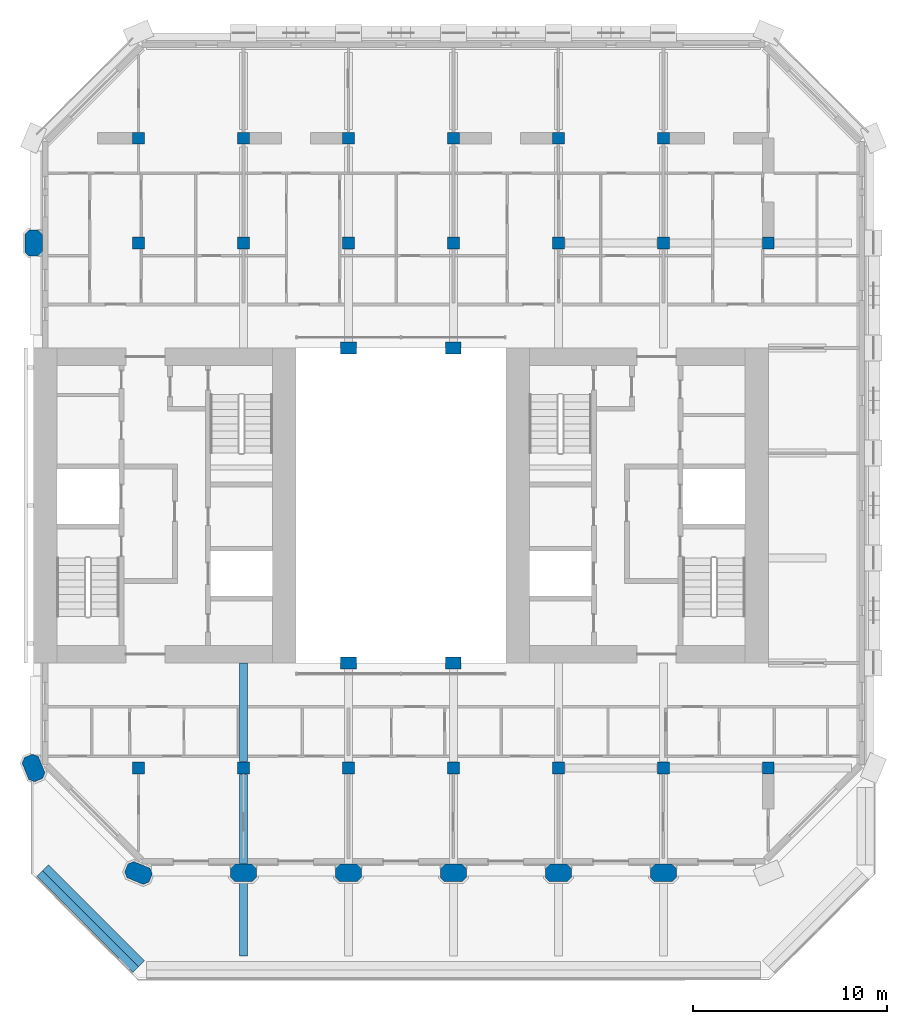
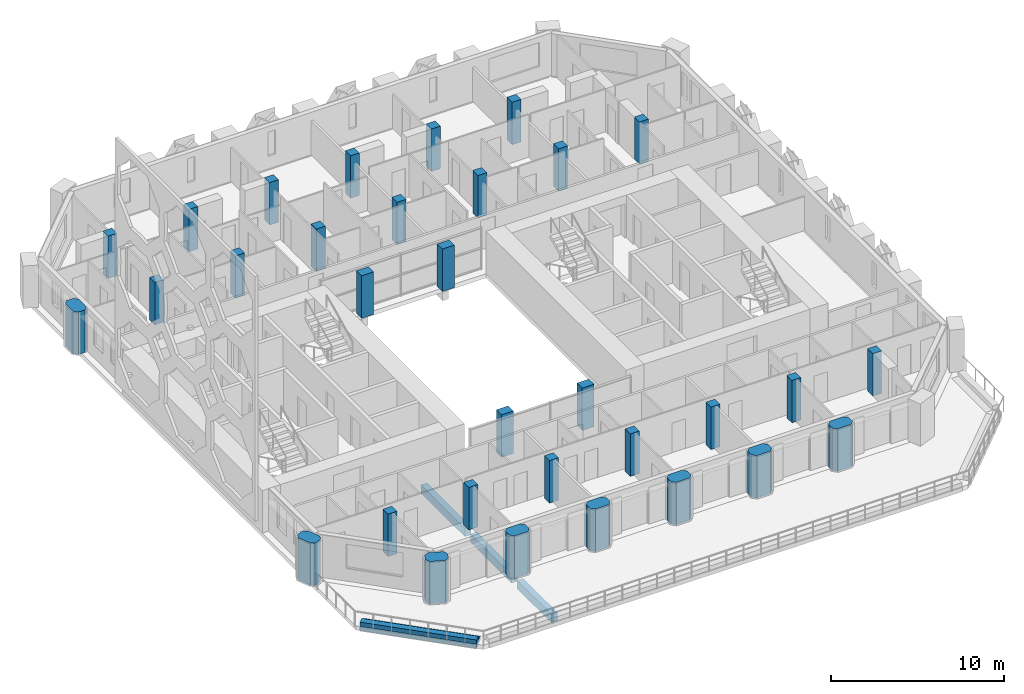
# One storey, part 1 of 17: 32 columns, 5 beams.
"""IFC4 building model written with IfcOpenShell, lengths in metres."""

from ifc_helpers import new_model, si_unit, direction, frame, origin, origin_2d, place, context, subcontext, project, spatial, polyline, rectangle, outline, extrude, material, material_profile, profile_set, type_object, element, save


model = new_model("IFC4")

# Units and contexts
model_context = context("Model", 3, precision=1e-05, world=origin(), true_north=direction((0.0, 1.0)))
body_context = subcontext(model_context, "Body", "Model", "MODEL_VIEW")
ifc_project = project(units=[si_unit("LENGTHUNIT", "METRE"), si_unit("AREAUNIT", "SQUARE_METRE"), si_unit("VOLUMEUNIT", "CUBIC_METRE"), si_unit("PLANEANGLEUNIT", "RADIAN"), si_unit("MASSUNIT", "GRAM", prefix="KILO")], contexts=[model_context])

# Site, building, storey
site_placement = place(None, origin())
site = spatial("IfcSite", under=ifc_project, at=site_placement, CompositionType="ELEMENT")
building_placement = place(site_placement, origin())
building = spatial("IfcBuilding", under=site, at=building_placement, Name="Tabaq Tower and Sports Hall", CompositionType="ELEMENT")
storey_placement = place(building_placement, frame((0.0, 0.0, 288.39990234375)))
storey = spatial("IfcBuildingStorey", under=building, at=storey_placement, Name="L71", CompositionType="ELEMENT", Elevation=288.39990234375)

# Columns
ifc_material_1 = material(Name="Concrete C40/50", Category="concrete")
ifc_material_profile_1 = material_profile(ifc_material_1, rectangle(XDim=0.800048828125, YDim=0.60009765625, at=origin_2d()), Name="ATRIUM COLUMN 800x600")
ifc_profile_set_1 = profile_set([ifc_material_profile_1], Name="Concrete C40/50")
column_type_1 = type_object("IfcColumnType", Name="RC COLUMN ATRIUM COLUMN 800x600 C40/50", PredefinedType="COLUMN", material=ifc_profile_set_1)
for number, where, z_axis, x_axis, name in (
    (1, (21.60009765625, 16.199951171875, 0.0), (0.0, 0.0, 1.0), (1.0, 0.0, 0.0), "Atrium Column 5/D L71"),
    (2, (27.0, 16.199951171875, 0.0), (0.0, 0.0, 1.0), (1.0, 0.0, 0.0), "Atrium Column 6/D L71"),
    (3, (21.60009765625, 32.39990234375, 0.0), (0.0, 0.0, 1.0), (1.0, 0.0, 0.0), "Atrium Column 5/G L71"),
    (4, (27.0, 32.39990234375, 0.0), (0.0, 0.0, 1.0), (1.0, 0.0, 0.0), "Atrium Column 6/G L71"),
):
    element("IfcColumn", number, at=place(storey_placement, frame(where, z_axis=z_axis, x_axis=x_axis)), inside=storey, type_object=column_type_1, Name=name, PredefinedType="COLUMN", context=body_context, shape_type="SweptSolid", body=[
        extrude(rectangle(XDim=0.800048828125, YDim=0.60009765625, at=origin_2d()), origin(), (0.0, 0.0, 1.0), 3.0),
    ])
ifc_material_2 = material(Name="Concrete C40/50", Category="concrete")
ifc_material_profile_2 = material_profile(ifc_material_2, rectangle(XDim=0.60009765625, YDim=0.60009765625, at=origin_2d()), Name="COLUMN 600x600")
ifc_profile_set_2 = profile_set([ifc_material_profile_2], Name="Concrete C40/50")
column_type_2 = type_object("IfcColumnType", Name="RC COLUMN COLUMN 600x600 C40/50", PredefinedType="COLUMN", material=ifc_profile_set_2)
for number, where, z_axis, x_axis, name in (
    (5, (10.800048828125, 10.800048828125, 0.0), (0.0, 0.0, 1.0), (1.0, 0.0, 0.0), "Column 3/C L71"),
    (6, (16.199951171875, 10.800048828125, 0.0), (0.0, 0.0, 1.0), (1.0, 0.0, 0.0), "Column 4/C L71"),
    (7, (21.60009765625, 10.800048828125, 0.0), (0.0, 0.0, 1.0), (1.0, 0.0, 0.0), "Column 5/C L71"),
    (8, (27.0, 10.800048828125, 0.0), (0.0, 0.0, 1.0), (1.0, 0.0, 0.0), "Column 6/C L71"),
    (9, (32.39990234375, 10.800048828125, 0.0), (0.0, 0.0, 1.0), (1.0, 0.0, 0.0), "Column 7/C L71"),
    (10, (37.800048828125, 10.800048828125, 0.0), (0.0, 0.0, 1.0), (1.0, 0.0, 0.0), "Column 8/C L71"),
    (11, (43.199951171875, 10.800048828125, 0.0), (0.0, 0.0, 1.0), (1.0, 0.0, 0.0), "Column 9/C L71"),
    (12, (10.800048828125, 37.800048828125, 0.0), (0.0, 0.0, 1.0), (1.0, 0.0, 0.0), "Column 3/H L71"),
    (13, (16.199951171875, 37.800048828125, 0.0), (0.0, 0.0, 1.0), (1.0, 0.0, 0.0), "Column 4/H L71"),
    (14, (21.60009765625, 37.800048828125, 0.0), (0.0, 0.0, 1.0), (1.0, 0.0, 0.0), "Column 5/H L71"),
    (15, (27.0, 37.800048828125, 0.0), (0.0, 0.0, 1.0), (1.0, 0.0, 0.0), "Column 6/H L71"),
    (16, (32.39990234375, 37.800048828125, 0.0), (0.0, 0.0, 1.0), (1.0, 0.0, 0.0), "Column 7/H L71"),
    (17, (37.800048828125, 37.800048828125, 0.0), (0.0, 0.0, 1.0), (1.0, 0.0, 0.0), "Column 8/H L71"),
    (18, (43.199951171875, 37.800048828125, 0.0), (0.0, 0.0, 1.0), (1.0, 0.0, 0.0), "Column 9/H L71"),
    (19, (10.800048828125, 43.199951171875, 0.0), (0.0, 0.0, 1.0), (1.0, 0.0, 0.0), "Column 3/I L71"),
    (20, (16.199951171875, 43.199951171875, 0.0), (0.0, 0.0, 1.0), (1.0, 0.0, 0.0), "Column 4/I L71"),
    (21, (21.60009765625, 43.199951171875, 0.0), (0.0, 0.0, 1.0), (1.0, 0.0, 0.0), "Column 5/I L71"),
    (22, (27.0, 43.199951171875, 0.0), (0.0, 0.0, 1.0), (1.0, 0.0, 0.0), "Column 6/I L71"),
    (23, (32.39990234375, 43.199951171875, 0.0), (0.0, 0.0, 1.0), (1.0, 0.0, 0.0), "Column 7/I L71"),
    (24, (37.800048828125, 43.199951171875, 0.0), (0.0, 0.0, 1.0), (1.0, 0.0, 0.0), "Column 8/I L71"),
):
    element("IfcColumn", number, at=place(storey_placement, frame(where, z_axis=z_axis, x_axis=x_axis)), inside=storey, type_object=column_type_2, Name=name, PredefinedType="COLUMN", context=body_context, shape_type="SweptSolid", body=[
        extrude(rectangle(XDim=0.60009765625, YDim=0.60009765625, at=origin_2d()), origin(), (0.0, 0.0, 1.0), 3.0),
    ])
ifc_material_3 = material(Name="Concrete C40/50", Category="concrete")
ifc_material_profile_3 = material_profile(ifc_material_3, outline(polyline([(-0.449951171875, -0.449951171875), (0.449951171875, -0.449951171875), (0.675048828125, -0.22509765625), (0.675048828125, 0.22509765625), (0.449951171875, 0.449951171875), (-0.449951171875, 0.449951171875), (-0.675048828125, 0.22509765625), (-0.675048828125, -0.22509765625), (-0.449951171875, -0.449951171875)])), Name="PIER 1350x900")
ifc_profile_set_3 = profile_set([ifc_material_profile_3], Name="Concrete C40/50")
column_type_3 = type_object("IfcColumnType", Name="RC COLUMN PIER 1350x900 C40/50", PredefinedType="COLUMN", material=ifc_profile_set_3)
for number, where, z_axis, x_axis, name in (
    (25, (10.800048828125, 5.39990234375, 0.0), (0.0, 0.0, 1.0), (-0.923879532511, 0.382683432365, 0.0), "Pier 3/B L71"),
    (26, (16.199951171875, 5.39990234375, 0.0), (0.0, 0.0, 1.0), (1.0, 0.0, 0.0), "Pier 4/B L71"),
    (27, (21.60009765625, 5.39990234375, 0.0), (0.0, 0.0, 1.0), (1.0, 0.0, 0.0), "Pier 5/B L71"),
    (28, (27.0, 5.39990234375, 0.0), (0.0, 0.0, 1.0), (1.0, 0.0, 0.0), "Pier 6/B L71"),
    (29, (32.39990234375, 5.39990234375, 0.0), (0.0, 0.0, 1.0), (1.0, 0.0, 0.0), "Pier 7/B L71"),
    (30, (37.800048828125, 5.39990234375, 0.0), (0.0, 0.0, 1.0), (1.0, 0.0, 0.0), "Pier 8/B L71"),
    (31, (5.39990234375, 10.800048828125, 0.0), (0.0, 0.0, 1.0), (-0.382683432365, 0.923879532511, 0.0), "Pier 2/C L71"),
    (32, (5.39990234375, 37.800048828125, 0.0), (0.0, 0.0, 1.0), (0.0, 1.0, 0.0), "Pier 2/H L71"),
):
    element("IfcColumn", number, at=place(storey_placement, frame(where, z_axis=z_axis, x_axis=x_axis)), inside=storey, type_object=column_type_3, Name=name, PredefinedType="COLUMN", context=body_context, shape_type="SweptSolid", body=[
        extrude(outline(polyline([(-0.449951171875, -0.449951171875), (0.449951171875, -0.449951171875), (0.675048828125, -0.22509765625), (0.675048828125, 0.22509765625), (0.449951171875, 0.449951171875), (-0.449951171875, 0.449951171875), (-0.675048828125, 0.22509765625), (-0.675048828125, -0.22509765625), (-0.449951171875, -0.449951171875)])), origin(), (0.0, 0.0, 1.0), 3.0),
    ])

# Beams
ifc_material_4 = material(Name="Concrete C40/50", Category="concrete")
ifc_material_profile_4 = material_profile(ifc_material_4, rectangle(XDim=0.39990234375, YDim=0.60009765625, at=origin_2d()), Name="CB 400x600")
ifc_profile_set_4 = profile_set([ifc_material_profile_4], Name="Concrete C40/50")
beam_type_1 = type_object("IfcBeamType", Name="PT CANTILEVER BEAM CB 400x600 C40/50", PredefinedType="BEAM", material=ifc_profile_set_4)
beam_1_placement = place(storey_placement, frame((16.199951171875, 1.125, -0.599853515625), z_axis=(0.0, 1.0, 0.0), x_axis=(-1.0, 0.0, 0.0)))
element("IfcBeam", 33, at=beam_1_placement, inside=storey, type_object=beam_type_1, Name="Cantilever Beam L71 S3 span 1", PredefinedType="BEAM", context=body_context, shape_type="SweptSolid", body=[
    extrude(rectangle(XDim=0.39990234375, YDim=0.60009765625, at=origin_2d()), origin(), (0.0, 0.0, 1.0), 3.949951171875),
])
beam_2_placement = place(storey_placement, frame((16.199951171875, 5.72509765625, -0.599853515625), z_axis=(0.0, 1.0, 0.0), x_axis=(-1.0, 0.0, 0.0)))
element("IfcBeam", 34, at=beam_2_placement, inside=storey, type_object=beam_type_1, Name="Cantilever Beam L71 S3 span 2", PredefinedType="BEAM", context=body_context, shape_type="SweptSolid", body=[
    extrude(rectangle(XDim=0.39990234375, YDim=0.60009765625, at=origin_2d()), origin(), (0.0, 0.0, 1.0), 4.75),
])
beam_3_placement = place(storey_placement, frame((16.199951171875, 11.125, -0.599853515625), z_axis=(0.0, 1.0, 0.0), x_axis=(-1.0, 0.0, 0.0)))
element("IfcBeam", 35, at=beam_3_placement, inside=storey, type_object=beam_type_1, Name="Cantilever Beam L71 S3 span 3", PredefinedType="BEAM", context=body_context, shape_type="SweptSolid", body=[
    extrude(rectangle(XDim=0.39990234375, YDim=0.60009765625, at=origin_2d()), origin(), (0.0, 0.0, 1.0), 5.074951171875),
])
ifc_material_5 = material(Name="Concrete C40/50", Category="concrete")
ifc_material_profile_5 = material_profile(ifc_material_5, rectangle(XDim=0.85009765625, YDim=0.300048828125, at=origin_2d()), Name="EB 850x300")
ifc_profile_set_5 = profile_set([ifc_material_profile_5], Name="Concrete C40/50")
beam_type_2 = type_object("IfcBeamType", Name="PT EDGE BEAM EB 850x300 C40/50", PredefinedType="SPANDREL", material=ifc_profile_set_5)
beam_4_placement = place(storey_placement, frame((5.877197265625, 5.523681640625, -0.14990234375), z_axis=(0.707106781187, -0.707106781187, 0.0), x_axis=(0.707106781187, 0.707106781187, 0.0)))
element("IfcBeam", 36, at=beam_4_placement, inside=storey, type_object=beam_type_2, Name="Edge Beam L71 7", PredefinedType="SPANDREL", context=body_context, shape_type="SweptSolid", body=[
    extrude(rectangle(XDim=0.85009765625, YDim=0.300048828125, at=origin_2d()), origin(), (0.0, 0.0, 1.0), 6.98486328125),
])
ifc_material_6 = material(Name="Concrete C40/50", Category="concrete")
ifc_material_profile_6 = material_profile(ifc_material_6, rectangle(XDim=0.39990234375, YDim=0.300048828125, at=origin_2d()), Name="EU 400x300")
ifc_profile_set_6 = profile_set([ifc_material_profile_6], Name="Concrete C40/50")
beam_type_3 = type_object("IfcBeamType", Name="PT EDGE UPSTAND EU 400x300 C40/50", PredefinedType="BEAM", material=ifc_profile_set_6)
beam_5_placement = place(storey_placement, frame((5.71826171875, 5.36474609375, 0.150146484375), z_axis=(0.707106781187, -0.707106781187, 0.0), x_axis=(0.707106781187, 0.707106781187, 0.0)))
element("IfcBeam", 37, at=beam_5_placement, inside=storey, type_object=beam_type_3, Name="Edge Upstand L71 7", PredefinedType="BEAM", context=body_context, shape_type="SweptSolid", body=[
    extrude(rectangle(XDim=0.39990234375, YDim=0.300048828125, at=origin_2d()), origin(), (0.0, 0.0, 1.0), 6.98486328125),
])

save(model, "model.ifc")
